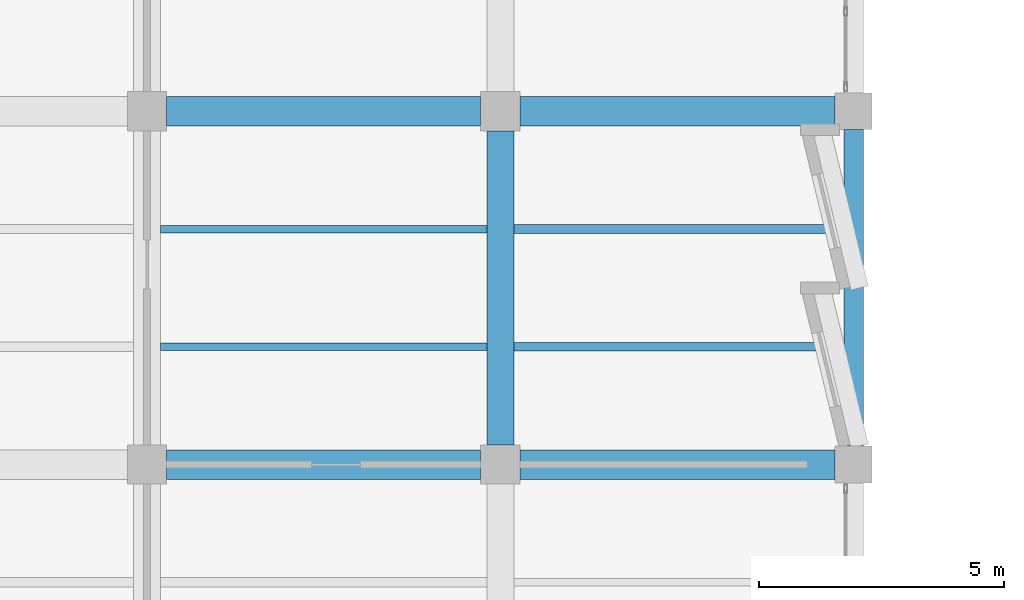
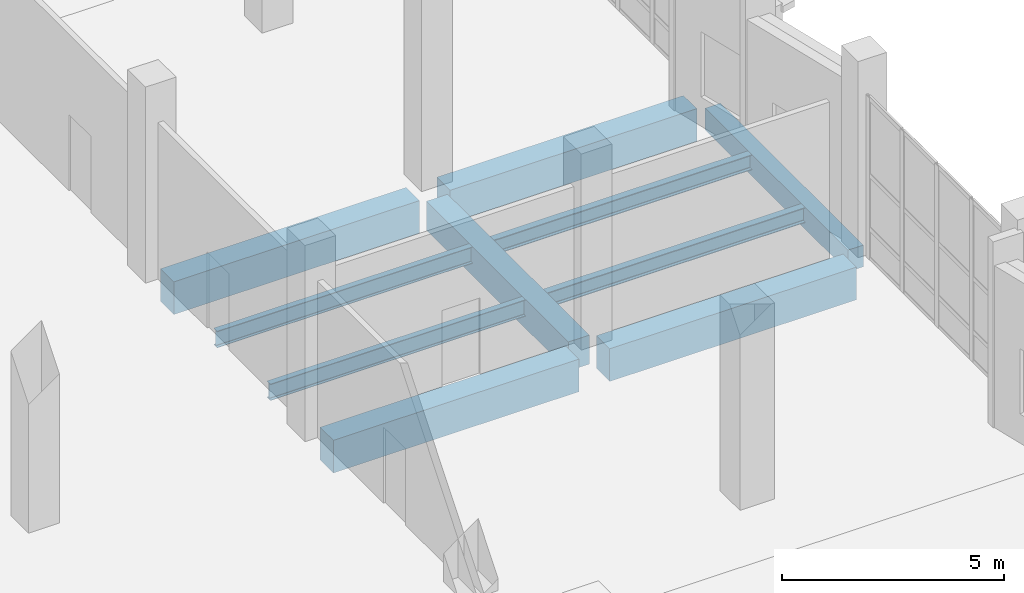
# One storey, part 45 of 137: 10 beams.
"""IFC4 building model written with IfcOpenShell, lengths in metres."""

from ifc_helpers import new_model, si_unit, direction, frame, origin, origin_2d, place, context, subcontext, project, spatial, rectangle, i_section, extrude, material, material_profile, profile_set, type_object, element, save


model = new_model("IFC4")

# Units and contexts
model_context = context("Model", 3, precision=1e-05, world=origin(), true_north=direction((0.0, 1.0)))
body_context = subcontext(model_context, "Body", "Model", "MODEL_VIEW")
ifc_project = project(units=[si_unit("LENGTHUNIT", "METRE"), si_unit("AREAUNIT", "SQUARE_METRE"), si_unit("VOLUMEUNIT", "CUBIC_METRE"), si_unit("PLANEANGLEUNIT", "RADIAN"), si_unit("MASSUNIT", "GRAM", prefix="KILO")], contexts=[model_context])

# Site, building, storey
site_placement = place(None, origin())
site = spatial("IfcSite", under=ifc_project, at=site_placement, CompositionType="ELEMENT")
building_placement = place(site_placement, origin())
building = spatial("IfcBuilding", under=site, at=building_placement, Name="Kalmorath City Hall", CompositionType="ELEMENT")
storey_placement = place(building_placement, origin())
storey = spatial("IfcBuildingStorey", under=building, at=storey_placement, Name="L00", CompositionType="ELEMENT", Elevation=0.0)

# Beams
ifc_material_1 = material(Name="Concrete C40/50", Category="concrete")
ifc_material_profile_1 = material_profile(ifc_material_1, rectangle(XDim=0.39990234375, YDim=0.60009765625, at=origin_2d()), Name="RC-BM-400X600")
ifc_profile_set_1 = profile_set([ifc_material_profile_1], Name="Concrete C40/50")
beam_type_1 = type_object("IfcBeamType", Name="Concrete edge beam 400x600", PredefinedType="SPANDREL", material=ifc_profile_set_1)
beam_1_placement = place(storey_placement, frame((28.800048828125, 72.375, -0.60400390625), z_axis=(0.0, 1.0, 0.0), x_axis=(-1.0, 0.0, 0.0)))
element("IfcBeam", 1, at=beam_1_placement, inside=storey, type_object=beam_type_1, Name="L00 girder CB6 Y5/11-12", PredefinedType="SPANDREL", context=body_context, shape_type="SweptSolid", body=[
    extrude(rectangle(XDim=0.39990234375, YDim=0.60009765625, at=origin_2d()), origin(), (0.0, 0.0, 1.0), 6.449951171875),
])
ifc_material_2 = material(Name="Concrete C40/50", Category="concrete")
ifc_material_profile_2 = material_profile(ifc_material_2, rectangle(XDim=0.550048828125, YDim=0.800048828125, at=origin_2d()), Name="RC-BM-550X800")
ifc_profile_set_2 = profile_set([ifc_material_profile_2], Name="Concrete C40/50")
beam_type_2 = type_object("IfcBeamType", Name="Concrete floor girder 550x800", PredefinedType="BEAM", material=ifc_profile_set_2)
beam_2_placement = place(storey_placement, frame((21.60009765625, 72.39990234375, -0.7041015625), z_axis=(0.0, 1.0, 0.0), x_axis=(-1.0, 0.0, 0.0)))
element("IfcBeam", 2, at=beam_2_placement, inside=storey, type_object=beam_type_2, Name="L00 girder CB2 Y4/11-12", PredefinedType="BEAM", context=body_context, shape_type="SweptSolid", body=[
    extrude(rectangle(XDim=0.550048828125, YDim=0.800048828125, at=origin_2d()), origin(), (0.0, 0.0, 1.0), 6.400146484375),
])
ifc_material_3 = material(Name="Concrete C40/50", Category="concrete")
ifc_material_profile_3 = material_profile(ifc_material_3, rectangle(XDim=0.60009765625, YDim=0.89990234375, at=origin_2d()), Name="RC-BM-600X900")
ifc_profile_set_3 = profile_set([ifc_material_profile_3], Name="Concrete C40/50")
beam_type_3 = type_object("IfcBeamType", Name="Concrete floor girder 600x900", PredefinedType="BEAM", material=ifc_profile_set_3)
beam_3_placement = place(storey_placement, frame((14.800048828125, 72.0, -0.75390625), z_axis=(1.0, 0.0, 0.0), x_axis=(0.0, 1.0, 0.0)))
element("IfcBeam", 3, at=beam_3_placement, inside=storey, type_object=beam_type_3, Name="L00 girder CB1 X3-4/11", PredefinedType="BEAM", context=body_context, shape_type="SweptSolid", body=[
    extrude(rectangle(XDim=0.60009765625, YDim=0.89990234375, at=origin_2d()), origin(), (0.0, 0.0, 1.0), 6.39990234375),
])
beam_4_placement = place(storey_placement, frame((22.0, 72.0, -0.75390625), z_axis=(1.0, 0.0, 0.0), x_axis=(0.0, 1.0, 0.0)))
element("IfcBeam", 4, at=beam_4_placement, inside=storey, type_object=beam_type_3, Name="L00 girder CB1 X4-5/11", PredefinedType="BEAM", context=body_context, shape_type="SweptSolid", body=[
    extrude(rectangle(XDim=0.60009765625, YDim=0.89990234375, at=origin_2d()), origin(), (0.0, 0.0, 1.0), 6.425048828125),
])
beam_5_placement = place(storey_placement, frame((14.800048828125, 79.199951171875, -0.75390625), z_axis=(1.0, 0.0, 0.0), x_axis=(0.0, 1.0, 0.0)))
element("IfcBeam", 5, at=beam_5_placement, inside=storey, type_object=beam_type_3, Name="L00 girder CB1 X3-4/12", PredefinedType="BEAM", context=body_context, shape_type="SweptSolid", body=[
    extrude(rectangle(XDim=0.60009765625, YDim=0.89990234375, at=origin_2d()), origin(), (0.0, 0.0, 1.0), 6.39990234375),
])
beam_6_placement = place(storey_placement, frame((22.0, 79.199951171875, -0.75390625), z_axis=(1.0, 0.0, 0.0), x_axis=(0.0, 1.0, 0.0)))
element("IfcBeam", 6, at=beam_6_placement, inside=storey, type_object=beam_type_3, Name="L00 girder CB1 X4-5/12", PredefinedType="BEAM", context=body_context, shape_type="SweptSolid", body=[
    extrude(rectangle(XDim=0.60009765625, YDim=0.89990234375, at=origin_2d()), origin(), (0.0, 0.0, 1.0), 6.425048828125),
])
ifc_material_4 = material(Name="Steel ASTM A992 Grade 50", Category="steel")
ifc_material_profile_4 = material_profile(ifc_material_4, i_section(OverallWidth=0.180908203125, OverallDepth=0.4169921875, WebThickness=0.010986328125, FlangeThickness=0.018310546875, FilletRadius=0.012939453125, at=origin_2d()), Name="W16X57")
ifc_profile_set_4 = profile_set([ifc_material_profile_4], Name="Steel ASTM A992 Grade 50")
beam_type_4 = type_object("IfcBeamType", Name="Steel composite joist W16X57", PredefinedType="JOIST", material=ifc_profile_set_4)
for number, where, z_axis, x_axis, name in (
    (7, (21.875, 74.39990234375, -0.512451171875), (1.0, 0.0, 0.0), (0.0, 1.0, 0.0), "L00 joist SJ5 4.11.1"),
    (8, (21.875, 76.800048828125, -0.512451171875), (1.0, 0.0, 0.0), (0.0, 1.0, 0.0), "L00 joist SJ5 4.11.2"),
):
    element("IfcBeam", number, at=place(storey_placement, frame(where, z_axis=z_axis, x_axis=x_axis)), inside=storey, type_object=beam_type_4, Name=name, PredefinedType="JOIST", context=body_context, shape_type="SweptSolid", body=[
        extrude(i_section(OverallWidth=0.180908203125, OverallDepth=0.4169921875, WebThickness=0.010986328125, FlangeThickness=0.018310546875, FilletRadius=0.012939453125, at=origin_2d()), origin(), (0.0, 0.0, 1.0), 6.72509765625),
    ])
ifc_material_5 = material(Name="Steel ASTM A992 Grade 50", Category="steel")
ifc_material_profile_5 = material_profile(ifc_material_5, i_section(OverallWidth=0.153076171875, OverallDepth=0.455078125, WebThickness=0.008056640625, FlangeThickness=0.01318359375, FilletRadius=0.013916015625, at=origin_2d()), Name="W18X40")
ifc_profile_set_5 = profile_set([ifc_material_profile_5], Name="Steel ASTM A992 Grade 50")
beam_type_5 = type_object("IfcBeamType", Name="Steel composite joist W18X40", PredefinedType="JOIST", material=ifc_profile_set_5)
for number, where, z_axis, x_axis, name in (
    (9, (14.675048828125, 74.39990234375, -0.531494140625), (1.0, 0.0, 0.0), (0.0, 1.0, 0.0), "L00 joist SJ4 3.11.1"),
    (10, (14.675048828125, 76.800048828125, -0.531494140625), (1.0, 0.0, 0.0), (0.0, 1.0, 0.0), "L00 joist SJ4 3.11.2"),
):
    element("IfcBeam", number, at=place(storey_placement, frame(where, z_axis=z_axis, x_axis=x_axis)), inside=storey, type_object=beam_type_5, Name=name, PredefinedType="JOIST", context=body_context, shape_type="SweptSolid", body=[
        extrude(i_section(OverallWidth=0.153076171875, OverallDepth=0.455078125, WebThickness=0.008056640625, FlangeThickness=0.01318359375, FilletRadius=0.013916015625, at=origin_2d()), origin(), (0.0, 0.0, 1.0), 6.64990234375),
    ])

save(model, "model.ifc")
